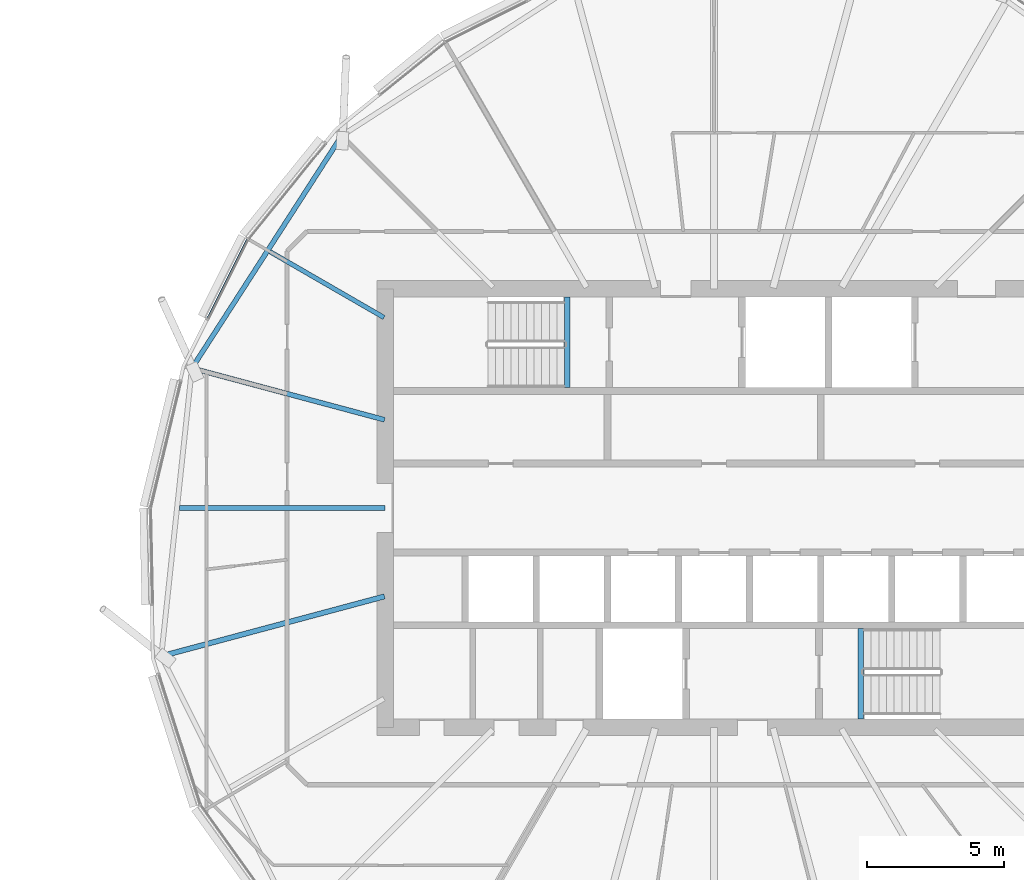
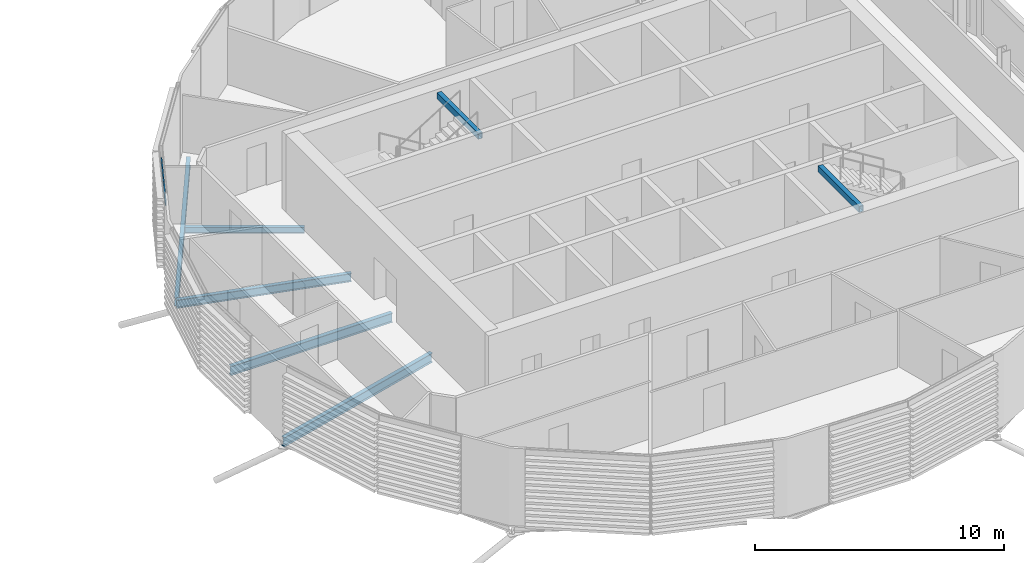
# One storey, part 14 of 36: 7 beams, 1 member, 1 element without a shape of its own.
"""IFC4 building model written with IfcOpenShell, lengths in metres."""

from ifc_helpers import new_model, si_unit, direction, frame, origin, origin_2d, place, context, subcontext, project, spatial, rectangle, hollow_rectangle, i_section, extrude, material, material_profile, profile_set, type_object, element, aggregate, save


model = new_model("IFC4")

# Units and contexts
model_context = context("Model", 3, precision=1e-05, world=origin(), true_north=direction((0.0, 1.0)))
body_context = subcontext(model_context, "Body", "Model", "MODEL_VIEW")
ifc_project = project(units=[si_unit("LENGTHUNIT", "METRE"), si_unit("AREAUNIT", "SQUARE_METRE"), si_unit("VOLUMEUNIT", "CUBIC_METRE"), si_unit("PLANEANGLEUNIT", "RADIAN"), si_unit("MASSUNIT", "GRAM", prefix="KILO")], contexts=[model_context])

# Site, building, storey
site_placement = place(None, origin())
site = spatial("IfcSite", under=ifc_project, at=site_placement, CompositionType="ELEMENT")
building_placement = place(site_placement, origin())
building = spatial("IfcBuilding", under=site, at=building_placement, Name="Rimbun Link Towers", CompositionType="ELEMENT")
storey_placement = place(building_placement, frame((0.0, 0.0, 189.300048828125)))
storey = spatial("IfcBuildingStorey", under=building, at=storey_placement, Name="L46", CompositionType="ELEMENT", Elevation=189.300048828125)

# Curtain wall, member
ifc_material_1 = material(Name="Aluminium 6063-T6 and low-iron glass", Category="aluminium")
curtain_wall_type = type_object("IfcCurtainWallType", Name="CW1-Z3 unitised vision wall (zone 3)", PredefinedType="NOTDEFINED", material=ifc_material_1)
curtain_wall_placement = place(storey_placement, origin())
curtain_wall = element("IfcCurtainWall", 1, at=curtain_wall_placement, inside=storey, type_object=curtain_wall_type, Name="CW1 L46 T2", PredefinedType="NOTDEFINED")
ifc_material_2 = material(Name="Aluminium 6063-T6", Category="aluminium")
ifc_material_profile_1 = material_profile(ifc_material_2, rectangle(XDim=0.06005859375, YDim=0.1201171875, at=origin_2d()), Name="TRANSOM 60X120")
ifc_profile_set_1 = profile_set([ifc_material_profile_1], Name="Aluminium 6063-T6")
member_type = type_object("IfcMemberType", Name="CW1 transom 60X120", PredefinedType="USERDEFINED", material=ifc_profile_set_1)
member_placement = place(storey_placement, frame((13.266845703125, 6.92138671875, 3.199951171875), z_axis=(0.448759851443, 0.893652390884, 0.0), x_axis=(-0.893652390884, 0.448759851443, 0.0)))
member = element("IfcMember", 2, at=member_placement, type_object=member_type, Name="CW1 transom", ObjectType="TRANSOM", PredefinedType="USERDEFINED", context=body_context, shape_type="SweptSolid", body=[
    extrude(rectangle(XDim=0.06005859375, YDim=0.1201171875, at=origin_2d()), origin(), (0.0, 0.0, 1.0), 3.219482421875),
])
aggregate(curtain_wall, [member])

# Beams
ifc_material_3 = material(Name="Steel S355J2", Category="steel")
ifc_material_profile_2 = material_profile(ifc_material_3, hollow_rectangle(XDim=0.199951171875, YDim=0.300048828125, WallThickness=0.011962890625, at=origin_2d()), Name="BOX 300x200x12")
ifc_profile_set_2 = profile_set([ifc_material_profile_2], Name="Steel S355J2")
beam_type_1 = type_object("IfcBeamType", Name="Stair trimmer beam BOX 300x200x12", PredefinedType="BEAM", material=ifc_profile_set_2)
for number, where, z_axis, x_axis, name in (
    (3, (26.39990234375, 7.699951171875, 3.5), (0.0, -1.0, 0.0), (1.0, 0.0, 0.0), "L46 ST3 stair beam 1"),
    (4, (37.10009765625, -7.699951171875, 3.5), (0.0, 1.0, 0.0), (-1.0, 0.0, 0.0), "L46 ST4 stair beam 1"),
):
    element("IfcBeam", number, at=place(storey_placement, frame(where, z_axis=z_axis, x_axis=x_axis)), inside=storey, type_object=beam_type_1, Name=name, PredefinedType="BEAM", context=body_context, shape_type="SweptSolid", body=[
        extrude(hollow_rectangle(XDim=0.199951171875, YDim=0.300048828125, WallThickness=0.011962890625, at=origin_2d()), origin(), (0.0, 0.0, 1.0), 3.300048828125),
    ])
ifc_material_4 = material(Name="Steel S355J2", Category="steel")
ifc_material_profile_3 = material_profile(ifc_material_4, i_section(OverallWidth=0.1650390625, OverallDepth=0.303466796875, WebThickness=0.006103515625, FlangeThickness=0.01025390625, at=origin_2d()), Name="UB 305x165x40")
ifc_profile_set_3 = profile_set([ifc_material_profile_3], Name="Steel S355J2")
beam_type_2 = type_object("IfcBeamType", Name="UB 305x165x40", PredefinedType="BEAM", material=ifc_profile_set_3)
beam_1_placement = place(storey_placement, frame((19.7080078125, 6.952392578125, -0.3017578125), z_axis=(-0.86601219566, 0.500022876445, 0.0), x_axis=(-0.500022876445, -0.86601219566, 0.0)))
element("IfcBeam", 5, at=beam_1_placement, inside=storey, type_object=beam_type_2, Name="Radial beam T2 L46 07", PredefinedType="BEAM", context=body_context, shape_type="SweptSolid", body=[
    extrude(i_section(OverallWidth=0.1650390625, OverallDepth=0.303466796875, WebThickness=0.006103515625, FlangeThickness=0.01025390625, at=origin_2d()), origin(), (0.0, 0.0, 1.0), 4.806884765625),
])
ifc_material_5 = material(Name="Steel S355J2", Category="steel")
ifc_material_profile_4 = material_profile(ifc_material_5, i_section(OverallWidth=0.177978515625, OverallDepth=0.406494140625, WebThickness=0.0078125, FlangeThickness=0.0126953125, at=origin_2d()), Name="UB 406x178x60")
ifc_profile_set_4 = profile_set([ifc_material_profile_4], Name="Steel S355J2")
beam_type_3 = type_object("IfcBeamType", Name="UB 406x178x60", PredefinedType="BEAM", material=ifc_profile_set_4)
beam_2_placement = place(storey_placement, frame((19.72607421875, 3.2216796875, -0.353271484375), z_axis=(-0.965918389511, 0.25884679794, 0.0), x_axis=(-0.25884679794, -0.965918389511, 0.0)))
element("IfcBeam", 6, at=beam_2_placement, inside=storey, type_object=beam_type_3, Name="Radial beam T2 L46 08", PredefinedType="BEAM", context=body_context, shape_type="SweptSolid", body=[
    extrude(i_section(OverallWidth=0.177978515625, OverallDepth=0.406494140625, WebThickness=0.0078125, FlangeThickness=0.0126953125, at=origin_2d()), origin(), (0.0, 0.0, 1.0), 7.27490234375),
])
beam_3_placement = place(storey_placement, frame((18.114013671875, 13.5087890625, -0.353271484375), z_axis=(-0.541627011248, -0.840618927152, 0.0), x_axis=(0.840618927152, -0.541627011248, 0.0)))
element("IfcBeam", 7, at=beam_3_placement, inside=storey, type_object=beam_type_3, Name="Edge beam T2 L46 06-08", PredefinedType="BEAM", context=body_context, shape_type="SweptSolid", body=[
    extrude(i_section(OverallWidth=0.177978515625, OverallDepth=0.406494140625, WebThickness=0.0078125, FlangeThickness=0.0126953125, at=origin_2d()), origin(), (0.0, 0.0, 1.0), 9.903076171875),
])
ifc_material_6 = material(Name="Steel S355J2", Category="steel")
ifc_material_profile_5 = material_profile(ifc_material_6, i_section(OverallWidth=0.18994140625, OverallDepth=0.453369140625, WebThickness=0.008544921875, FlangeThickness=0.0126953125, at=origin_2d()), Name="UB 457x191x67")
ifc_profile_set_5 = profile_set([ifc_material_profile_5], Name="Steel S355J2")
beam_type_4 = type_object("IfcBeamType", Name="UB 457x191x67", PredefinedType="BEAM", material=ifc_profile_set_5)
beam_4_placement = place(storey_placement, frame((19.7490234375, 0.0, -0.376708984375), z_axis=(-1.0, 0.0, 0.0), x_axis=(0.0, -1.0, 0.0)))
element("IfcBeam", 8, at=beam_4_placement, inside=storey, type_object=beam_type_4, Name="Radial beam T2 L46 09", PredefinedType="BEAM", context=body_context, shape_type="SweptSolid", body=[
    extrude(i_section(OverallWidth=0.18994140625, OverallDepth=0.453369140625, WebThickness=0.008544921875, FlangeThickness=0.0126953125, at=origin_2d()), origin(), (0.0, 0.0, 1.0), 7.503173828125),
])
beam_5_placement = place(storey_placement, frame((19.724609375, -3.22216796875, -0.376708984375), z_axis=(-0.965926209988, -0.258817613114, 0.0), x_axis=(0.258817613114, -0.965926209988, 0.0)))
element("IfcBeam", 9, at=beam_5_placement, inside=storey, type_object=beam_type_4, Name="Radial beam T2 L46 10", PredefinedType="BEAM", context=body_context, shape_type="SweptSolid", body=[
    extrude(i_section(OverallWidth=0.18994140625, OverallDepth=0.453369140625, WebThickness=0.008544921875, FlangeThickness=0.0126953125, at=origin_2d()), origin(), (0.0, 0.0, 1.0), 8.43212890625),
])

save(model, "model.ifc")
